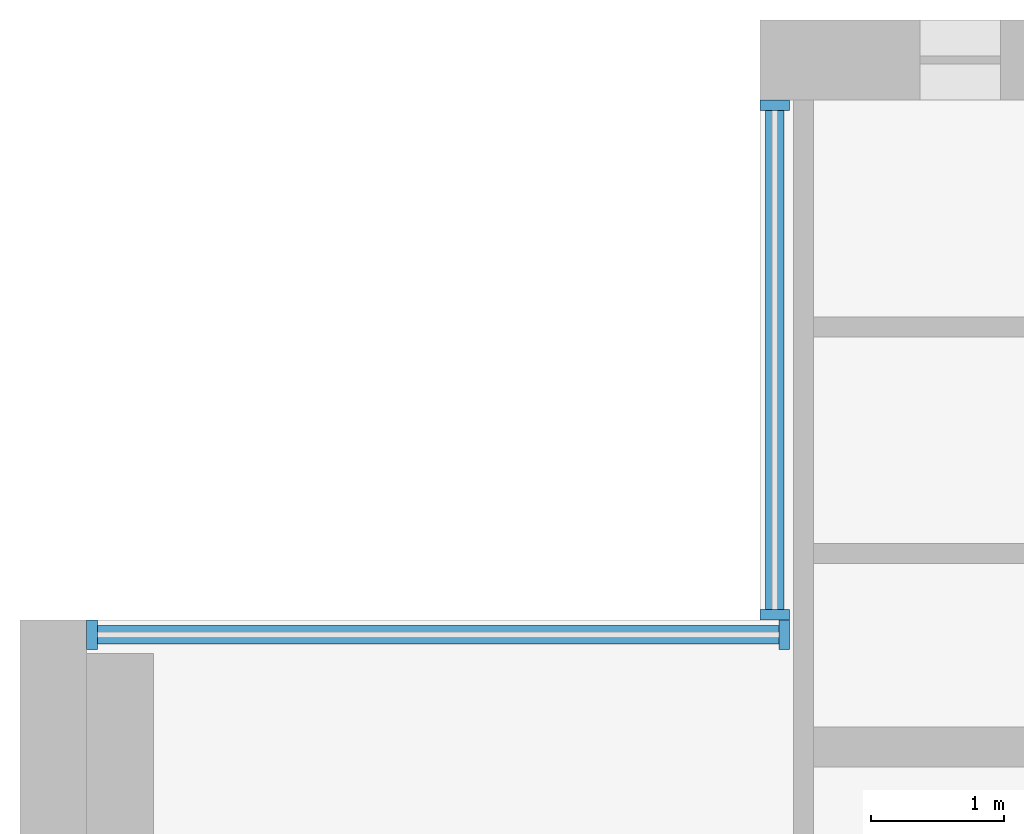
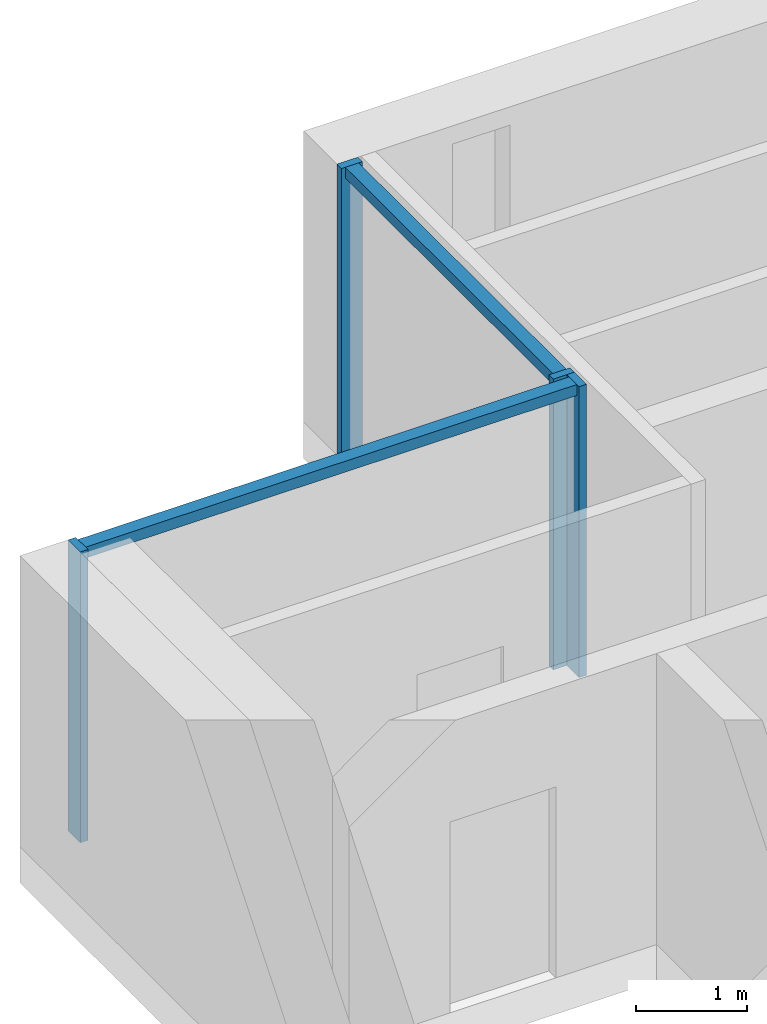
# One storey, part 4 of 14: 6 members, 2 elements without a shape of their own.
"""IFC4 building model written with IfcOpenShell, lengths in metres."""

from ifc_helpers import new_model, si_unit, direction, frame, origin, origin_2d, place, context, subcontext, project, spatial, rectangle, extrude, material, material_profile, profile_set, type_object, element, aggregate, save


model = new_model("IFC4")

# Units and contexts
model_context = context("Model", 3, precision=1e-05, world=origin(), true_north=direction((0.0, 1.0)))
body_context = subcontext(model_context, "Body", "Model", "MODEL_VIEW")
ifc_project = project(units=[si_unit("LENGTHUNIT", "METRE"), si_unit("AREAUNIT", "SQUARE_METRE"), si_unit("VOLUMEUNIT", "CUBIC_METRE"), si_unit("PLANEANGLEUNIT", "RADIAN"), si_unit("MASSUNIT", "GRAM", prefix="KILO")], contexts=[model_context])

# Site, building, storey
site_placement = place(None, origin())
site = spatial("IfcSite", under=ifc_project, at=site_placement, CompositionType="ELEMENT")
building_placement = place(site_placement, origin())
building = spatial("IfcBuilding", under=site, at=building_placement, Name="Calvaro Tower", CompositionType="ELEMENT")
storey_placement = place(building_placement, frame((0.0, 0.0, 262.14990234375)))
storey = spatial("IfcBuildingStorey", under=building, at=storey_placement, Name="L66", CompositionType="ELEMENT", Elevation=262.14990234375)

# Curtain wall, members
ifc_material_1 = material(Name="Anodised aluminium", Category="aluminium")
curtain_wall_type = type_object("IfcCurtainWallType", Name="Executive curtain wall", PredefinedType="NOTDEFINED", material=ifc_material_1)
curtain_wall_1_placement = place(storey_placement, origin())
curtain_wall_1 = element("IfcCurtainWall", 1, at=curtain_wall_1_placement, inside=storey, type_object=curtain_wall_type, Name="CW4 corner curtain wall", PredefinedType="NOTDEFINED")
ifc_material_2 = material(Name="Anodised aluminium", Category="aluminium")
ifc_material_profile_1 = material_profile(ifc_material_2, rectangle(XDim=0.219970703125, YDim=0.080078125, at=origin_2d()), Name="Mullion S4 80 x 220")
ifc_profile_set_1 = profile_set([ifc_material_profile_1], Name="Anodised aluminium")
member_type_1 = type_object("IfcMemberType", Name="Mullion S4 80 x 220", PredefinedType="MULLION", material=ifc_profile_set_1)
member_1_placement = place(storey_placement, frame((11.659912109375, 41.5400390625, 0.0), z_axis=(0.0, 0.0, 1.0), x_axis=(-1.0, 0.0, 0.0)))
member_1 = element("IfcMember", 2, at=member_1_placement, type_object=member_type_1, Name="CW4 mullion 1", PredefinedType="MULLION", context=body_context, shape_type="SweptSolid", body=[
    extrude(rectangle(XDim=0.219970703125, YDim=0.080078125, at=origin_2d()), origin(), (0.0, 0.0, 1.0), 3.2001953125),
])
member_2_placement = place(storey_placement, frame((11.659912109375, 45.360107421875, 0.0), z_axis=(0.0, 0.0, 1.0), x_axis=(-1.0, 0.0, 0.0)))
member_2 = element("IfcMember", 3, at=member_2_placement, type_object=member_type_1, Name="CW4 mullion 2", PredefinedType="MULLION", context=body_context, shape_type="SweptSolid", body=[
    extrude(rectangle(XDim=0.219970703125, YDim=0.080078125, at=origin_2d()), origin(), (0.0, 0.0, 1.0), 3.2001953125),
])

curtain_wall_2_placement = place(storey_placement, origin())
curtain_wall_2 = element("IfcCurtainWall", 4, at=curtain_wall_2_placement, inside=storey, type_object=curtain_wall_type, Name="CW4 corner curtain wall", PredefinedType="NOTDEFINED")
member_3_placement = place(storey_placement, frame((6.5400390625, 41.389892578125, 0.0), z_axis=(0.0, 0.0, 1.0), x_axis=(0.0, 1.0, 0.0)))
member_3 = element("IfcMember", 5, at=member_3_placement, type_object=member_type_1, Name="CW4 mullion 1", PredefinedType="MULLION", context=body_context, shape_type="SweptSolid", body=[
    extrude(rectangle(XDim=0.219970703125, YDim=0.080078125, at=origin_2d()), origin(), (0.0, 0.0, 1.0), 3.2001953125),
])
member_4_placement = place(storey_placement, frame((11.72998046875, 41.389892578125, 0.0), z_axis=(0.0, 0.0, 1.0), x_axis=(0.0, 1.0, 0.0)))
member_4 = element("IfcMember", 6, at=member_4_placement, type_object=member_type_1, Name="CW4 mullion 2", PredefinedType="MULLION", context=body_context, shape_type="SweptSolid", body=[
    extrude(rectangle(XDim=0.219970703125, YDim=0.080078125, at=origin_2d()), origin(), (0.0, 0.0, 1.0), 3.2001953125),
])

# Member
ifc_material_3 = material(Name="Anodised aluminium", Category="aluminium")
ifc_material_profile_2 = material_profile(ifc_material_3, rectangle(XDim=0.139892578125, YDim=0.1201171875, at=origin_2d()), Name="Transom S4 120 x 140")
ifc_profile_set_2 = profile_set([ifc_material_profile_2], Name="Anodised aluminium")
member_type_2 = type_object("IfcMemberType", Name="Transom S4 120 x 140", PredefinedType="USERDEFINED", material=ifc_profile_set_2)
member_5_placement = place(storey_placement, frame((11.659912109375, 41.580078125, 3.14013671875), z_axis=(0.0, 1.0, 0.0), x_axis=(-1.0, 0.0, 0.0)))
member_5 = element("IfcMember", 7, at=member_5_placement, type_object=member_type_2, Name="CW4 transom 1.1", ObjectType="TRANSOM", PredefinedType="USERDEFINED", context=body_context, shape_type="SweptSolid", body=[
    extrude(rectangle(XDim=0.139892578125, YDim=0.1201171875, at=origin_2d()), origin(), (0.0, 0.0, 1.0), 3.739990234375),
])

aggregate(curtain_wall_1, [member_1, member_2, member_5])

member_6_placement = place(storey_placement, frame((6.580078125, 41.389892578125, 3.14013671875), z_axis=(1.0, 0.0, 0.0), x_axis=(0.0, 1.0, 0.0)))
member_6 = element("IfcMember", 8, at=member_6_placement, type_object=member_type_2, Name="CW4 transom 1.1", ObjectType="TRANSOM", PredefinedType="USERDEFINED", context=body_context, shape_type="SweptSolid", body=[
    extrude(rectangle(XDim=0.139892578125, YDim=0.1201171875, at=origin_2d()), origin(), (0.0, 0.0, 1.0), 5.10986328125),
])

aggregate(curtain_wall_2, [member_3, member_4, member_6])

save(model, "model.ifc")
